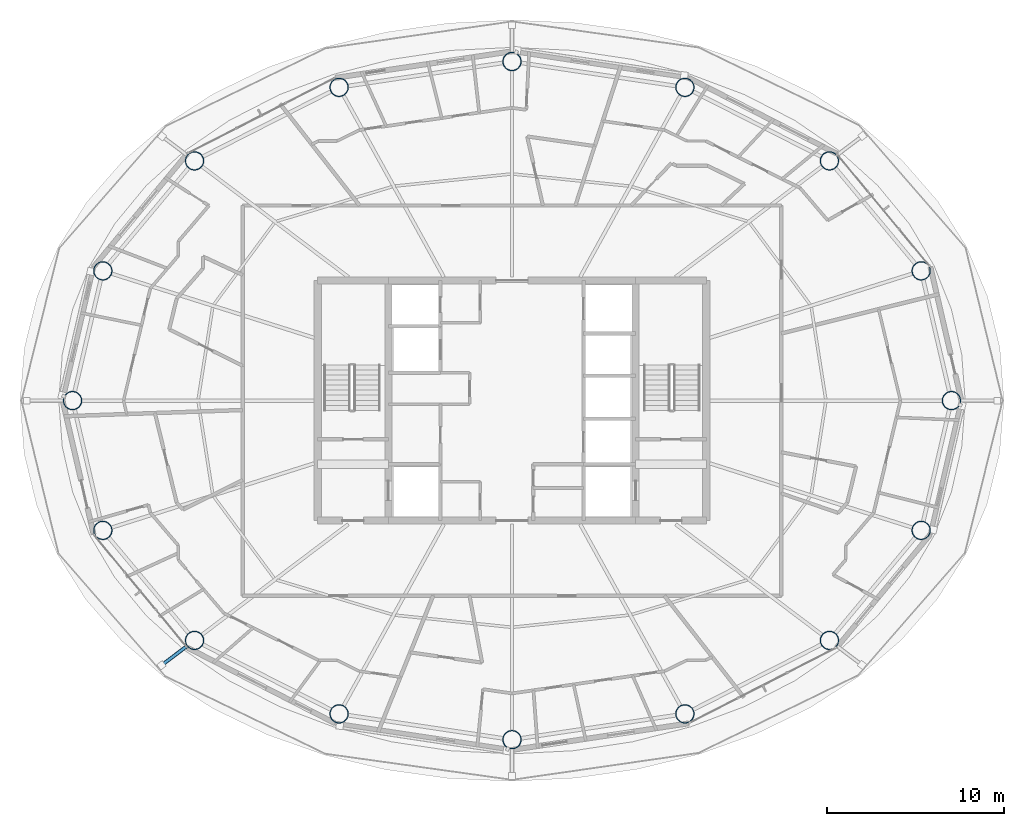
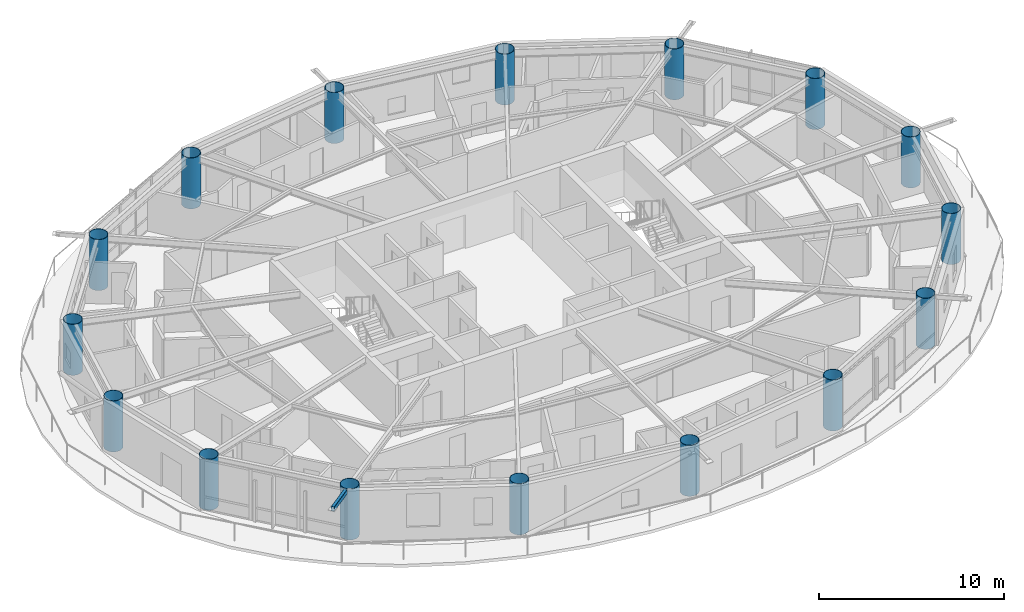
# One storey, part 1 of 23: 16 columns, 1 member.
"""IFC4 building model written with IfcOpenShell, lengths in metres."""

from ifc_helpers import new_model, si_unit, direction, frame, origin, origin_2d, place, context, subcontext, project, spatial, hollow_rectangle, hollow_circle, extrude, material, material_profile, profile_set, type_object, element, save


model = new_model("IFC4")

# Units and contexts
model_context = context("Model", 3, precision=1e-05, world=origin(), true_north=direction((0.0, 1.0)))
body_context = subcontext(model_context, "Body", "Model", "MODEL_VIEW")
ifc_project = project(units=[si_unit("LENGTHUNIT", "METRE"), si_unit("AREAUNIT", "SQUARE_METRE"), si_unit("VOLUMEUNIT", "CUBIC_METRE"), si_unit("PLANEANGLEUNIT", "RADIAN"), si_unit("MASSUNIT", "GRAM", prefix="KILO")], contexts=[model_context])

# Site, building, storey
site_placement = place(None, origin())
site = spatial("IfcSite", under=ifc_project, at=site_placement, CompositionType="ELEMENT")
building_placement = place(site_placement, origin())
building = spatial("IfcBuilding", under=site, at=building_placement, Name="Sarneth Arch Tower", CompositionType="ELEMENT")
storey_placement = place(building_placement, frame((0.0, 0.0, 242.39990234375)))
storey = spatial("IfcBuildingStorey", under=building, at=storey_placement, Name="L62", CompositionType="ELEMENT", Elevation=242.39990234375)

# Columns
ifc_material_1 = material(Name="Steel S355", Category="steel")
ifc_material_profile_1 = material_profile(ifc_material_1, hollow_circle(Radius=0.52490234375, WallThickness=0.028076171875, at=origin_2d()), Name="CHS1050x28")
ifc_profile_set_1 = profile_set([ifc_material_profile_1], Name="Steel S355")
column_type = type_object("IfcColumnType", Name="COL-MEGA-1050", PredefinedType="COLUMN", material=ifc_profile_set_1)
for number, where, z_axis, x_axis, name in (
    (1, (72.88330078125, 42.0, 0.0), (0.0, 0.0, 1.0), (1.0, 0.0, 0.0), "L62 Perimeter mega-column M01"),
    (2, (71.1689453125, 49.347412109375, 0.0), (0.0, 0.0, 1.0), (1.0, 0.0, 0.0), "L62 Perimeter mega-column M02"),
    (3, (65.975341796875, 55.576416015625, 0.0), (0.0, 0.0, 1.0), (1.0, 0.0, 0.0), "L62 Perimeter mega-column M03"),
    (4, (57.790771484375, 59.738525390625, 0.0), (0.0, 0.0, 1.0), (1.0, 0.0, 0.0), "L62 Perimeter mega-column M04"),
    (5, (48.0, 61.199951171875, 0.0), (0.0, 0.0, 1.0), (1.0, 0.0, 0.0), "L62 Perimeter mega-column M05"),
    (6, (38.209228515625, 59.738525390625, 0.0), (0.0, 0.0, 1.0), (1.0, 0.0, 0.0), "L62 Perimeter mega-column M06"),
    (7, (30.024658203125, 55.576416015625, 0.0), (0.0, 0.0, 1.0), (1.0, 0.0, 0.0), "L62 Perimeter mega-column M07"),
    (8, (24.8310546875, 49.347412109375, 0.0), (0.0, 0.0, 1.0), (1.0, 0.0, 0.0), "L62 Perimeter mega-column M08"),
    (9, (23.11669921875, 42.0, 0.0), (0.0, 0.0, 1.0), (1.0, 0.0, 0.0), "L62 Perimeter mega-column M09"),
    (10, (24.8310546875, 34.652587890625, 0.0), (0.0, 0.0, 1.0), (1.0, 0.0, 0.0), "L62 Perimeter mega-column M10"),
    (11, (30.024658203125, 28.423583984375, 0.0), (0.0, 0.0, 1.0), (1.0, 0.0, 0.0), "L62 Perimeter mega-column M11"),
    (12, (38.209228515625, 24.261474609375, 0.0), (0.0, 0.0, 1.0), (1.0, 0.0, 0.0), "L62 Perimeter mega-column M12"),
    (13, (48.0, 22.800048828125, 0.0), (0.0, 0.0, 1.0), (1.0, 0.0, 0.0), "L62 Perimeter mega-column M13"),
    (14, (57.790771484375, 24.261474609375, 0.0), (0.0, 0.0, 1.0), (1.0, 0.0, 0.0), "L62 Perimeter mega-column M14"),
    (15, (65.975341796875, 28.423583984375, 0.0), (0.0, 0.0, 1.0), (1.0, 0.0, 0.0), "L62 Perimeter mega-column M15"),
    (16, (71.1689453125, 34.652587890625, 0.0), (0.0, 0.0, 1.0), (1.0, 0.0, 0.0), "L62 Perimeter mega-column M16"),
):
    element("IfcColumn", number, at=place(storey_placement, frame(where, z_axis=z_axis, x_axis=x_axis)), inside=storey, type_object=column_type, Name=name, PredefinedType="COLUMN", context=body_context, shape_type="SweptSolid", body=[
        extrude(hollow_circle(Radius=0.52490234375, WallThickness=0.028076171875, at=origin_2d()), origin(), (0.0, 0.0, 1.0), 3.360107421875),
    ])

# Member
ifc_material_2 = material(Name="Steel S355", Category="steel")
ifc_material_profile_2 = material_profile(ifc_material_2, hollow_rectangle(XDim=0.199951171875, YDim=0.300048828125, WallThickness=0.012451171875, InnerFilletRadius=0.018798828125, OuterFilletRadius=0.03125, at=origin_2d()), Name="RHS300x200x12.5")
ifc_profile_set_2 = profile_set([ifc_material_profile_2], Name="Steel S355")
member_type = type_object("IfcMemberType", Name="MEM-CANT-STRUT", PredefinedType="STRUT", material=ifc_profile_set_2)
member_placement = place(storey_placement, frame((29.60595703125, 28.107177734375, 3.2001953125), z_axis=(-0.797966287819, -0.6027020852, 0.0), x_axis=(0.6027020852, -0.797966287819, 0.0)))
element("IfcMember", 17, at=member_placement, inside=storey, type_object=member_type, Name="L62 Balcony cantilever bracket 11", PredefinedType="STRUT", context=body_context, shape_type="SweptSolid", body=[
    extrude(hollow_rectangle(XDim=0.199951171875, YDim=0.300048828125, WallThickness=0.012451171875, InnerFilletRadius=0.018798828125, OuterFilletRadius=0.03125, at=origin_2d()), origin(), (0.0, 0.0, 1.0), 1.819091796875),
])

save(model, "model.ifc")
